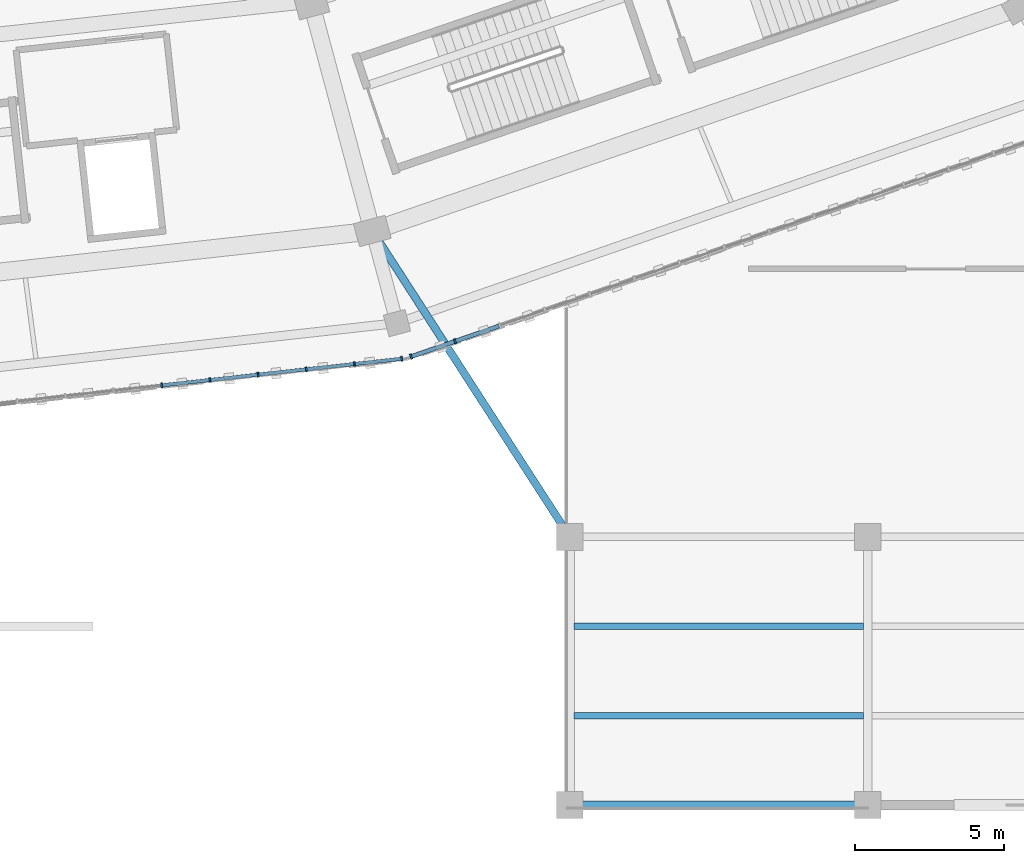
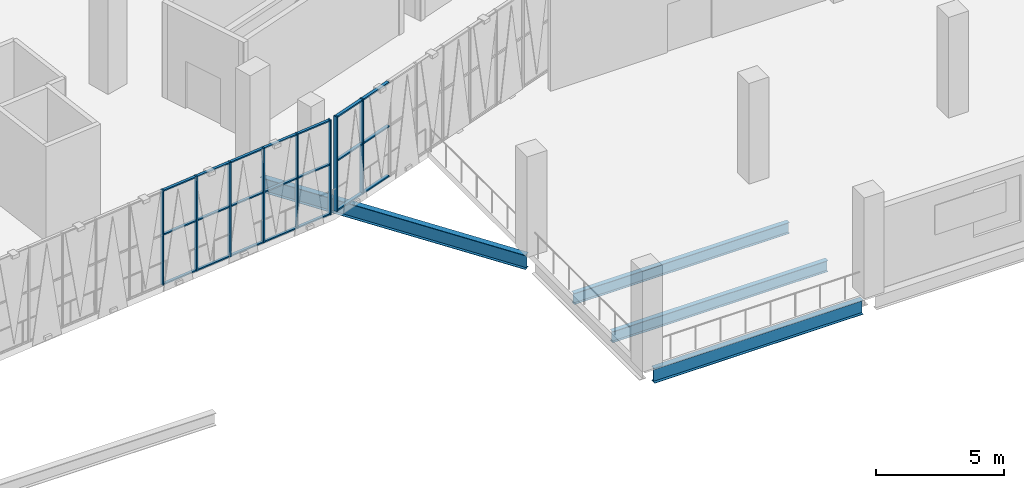
# One storey, part 26 of 183: 29 members, 4 beams, 2 elements without a shape of their own.
"""IFC4 building model written with IfcOpenShell, lengths in metres."""

from ifc_helpers import new_model, si_unit, direction, frame, origin, origin_2d, place, context, subcontext, project, spatial, rectangle, i_section, extrude, material, material_profile, profile_set, type_object, element, aggregate, save


model = new_model("IFC4")

# Units and contexts
model_context = context("Model", 3, precision=1e-05, world=origin(), true_north=direction((0.0, 1.0)))
body_context = subcontext(model_context, "Body", "Model", "MODEL_VIEW")
ifc_project = project(units=[si_unit("LENGTHUNIT", "METRE"), si_unit("AREAUNIT", "SQUARE_METRE"), si_unit("VOLUMEUNIT", "CUBIC_METRE"), si_unit("PLANEANGLEUNIT", "RADIAN"), si_unit("MASSUNIT", "GRAM", prefix="KILO")], contexts=[model_context])

# Site, building, storey
site_placement = place(None, origin())
site = spatial("IfcSite", under=ifc_project, at=site_placement, CompositionType="ELEMENT")
building_placement = place(site_placement, origin())
building = spatial("IfcBuilding", under=site, at=building_placement, Name="Zevraka Park Crest Stadium", CompositionType="ELEMENT")
storey_placement = place(building_placement, frame((0.0, 0.0, 5.39990234375)))
storey = spatial("IfcBuildingStorey", under=building, at=storey_placement, Name="L01", CompositionType="ELEMENT", Elevation=5.39990234375)

# Beams
ifc_material_1 = material(Name="Steel S355", Category="steel")
ifc_material_profile_1 = material_profile(ifc_material_1, i_section(OverallWidth=0.253662109375, OverallDepth=0.68359375, WebThickness=0.012451171875, FlangeThickness=0.01904296875, at=origin_2d()), Name="UKB 686x254x140")
ifc_profile_set_1 = profile_set([ifc_material_profile_1], Name="Steel S355")
beam_type_1 = type_object("IfcBeamType", Name="BG05", PredefinedType="BEAM", material=ifc_profile_set_1)
beam_1_placement = place(storey_placement, frame((142.300048828125, 0.0, -0.649658203125), z_axis=(1.0, 0.0, 0.0), x_axis=(0.0, 1.0, 0.0)))
element("IfcBeam", 1, at=beam_1_placement, inside=storey, type_object=beam_type_1, Name="Wing Girder BG05 L01-1617/A", PredefinedType="BEAM", context=body_context, shape_type="SweptSolid", body=[
    extrude(i_section(OverallWidth=0.253662109375, OverallDepth=0.68359375, WebThickness=0.012451171875, FlangeThickness=0.01904296875, at=origin_2d()), origin(), (0.0, 0.0, 1.0), 9.39990234375),
])
beam_2_placement = place(storey_placement, frame((141.89208984375, 9.16796875, -0.649658203125), z_axis=(-0.542497990174, 0.840057099641, 0.0), x_axis=(-0.840057099641, -0.542497990174, 0.0)))
element("IfcBeam", 2, at=beam_2_placement, inside=storey, type_object=beam_type_1, Name="Wing Link Girder BG05 L01-16/B", PredefinedType="BEAM", context=body_context, shape_type="SweptSolid", body=[
    extrude(i_section(OverallWidth=0.253662109375, OverallDepth=0.68359375, WebThickness=0.012451171875, FlangeThickness=0.01904296875, at=origin_2d()), origin(), (0.0, 0.0, 1.0), 11.640869140625),
])

# Curtain wall, members
ifc_material_2 = material(Name="Anodised architectural aluminium and laminated safety glass", Category="aluminium")
curtain_wall_type_1 = type_object("IfcCurtainWallType", Name="CW01", PredefinedType="NOTDEFINED", material=ifc_material_2)
curtain_wall_1_placement = place(storey_placement, origin())
curtain_wall_1 = element("IfcCurtainWall", 3, at=curtain_wall_1_placement, inside=storey, type_object=curtain_wall_type_1, Name="Unitised Ring Curtain Wall CW01 L01-18", PredefinedType="NOTDEFINED")
ifc_material_3 = material(Name="Anodised architectural aluminium", Category="aluminium")
ifc_material_profile_2 = material_profile(ifc_material_3, rectangle(XDim=0.159912109375, YDim=0.06005859375, at=origin_2d()), Name="ALU MULLION 160x60")
ifc_profile_set_2 = profile_set([ifc_material_profile_2], Name="Anodised architectural aluminium")
member_type_1 = type_object("IfcMemberType", Name="CM01", PredefinedType="MULLION", material=ifc_profile_set_2)
member_1_placement = place(storey_placement, frame((128.302001953125, 14.0869140625, 0.0), z_axis=(0.0, 0.0, 1.0), x_axis=(-0.110134718639, 0.993916668414, 0.0)))
member_1 = element("IfcMember", 4, at=member_1_placement, type_object=member_type_1, Name="CW01 mullion 11", PredefinedType="MULLION", context=body_context, shape_type="SweptSolid", body=[
    extrude(rectangle(XDim=0.159912109375, YDim=0.06005859375, at=origin_2d()), origin(), (0.0, 0.0, 1.0), 4.52001953125),
])
member_2_placement = place(storey_placement, frame((129.919189453125, 14.26611328125, 0.0), z_axis=(0.0, 0.0, 1.0), x_axis=(-0.110134718639, 0.993916668414, 0.0)))
member_2 = element("IfcMember", 5, at=member_2_placement, type_object=member_type_1, Name="CW01 mullion 12", PredefinedType="MULLION", context=body_context, shape_type="SweptSolid", body=[
    extrude(rectangle(XDim=0.159912109375, YDim=0.06005859375, at=origin_2d()), origin(), (0.0, 0.0, 1.0), 4.52001953125),
])
member_3_placement = place(storey_placement, frame((131.536376953125, 14.4453125, 0.0), z_axis=(0.0, 0.0, 1.0), x_axis=(-0.110134718639, 0.993916668414, 0.0)))
member_3 = element("IfcMember", 6, at=member_3_placement, type_object=member_type_1, Name="CW01 mullion 13", PredefinedType="MULLION", context=body_context, shape_type="SweptSolid", body=[
    extrude(rectangle(XDim=0.159912109375, YDim=0.06005859375, at=origin_2d()), origin(), (0.0, 0.0, 1.0), 4.52001953125),
])
member_4_placement = place(storey_placement, frame((133.153564453125, 14.62451171875, 0.0), z_axis=(0.0, 0.0, 1.0), x_axis=(-0.110134718639, 0.993916668414, 0.0)))
member_4 = element("IfcMember", 7, at=member_4_placement, type_object=member_type_1, Name="CW01 mullion 14", PredefinedType="MULLION", context=body_context, shape_type="SweptSolid", body=[
    extrude(rectangle(XDim=0.159912109375, YDim=0.06005859375, at=origin_2d()), origin(), (0.0, 0.0, 1.0), 4.52001953125),
])
member_5_placement = place(storey_placement, frame((134.770751953125, 14.8037109375, 0.0), z_axis=(0.0, 0.0, 1.0), x_axis=(-0.110134718639, 0.993916668414, 0.0)))
member_5 = element("IfcMember", 8, at=member_5_placement, type_object=member_type_1, Name="CW01 mullion 15", PredefinedType="MULLION", context=body_context, shape_type="SweptSolid", body=[
    extrude(rectangle(XDim=0.159912109375, YDim=0.06005859375, at=origin_2d()), origin(), (0.0, 0.0, 1.0), 4.52001953125),
])
member_6_placement = place(storey_placement, frame((136.358154296875, 14.979736328125, 0.0), z_axis=(0.0, 0.0, 1.0), x_axis=(-0.110134718639, 0.993916668414, 0.0)))
member_6 = element("IfcMember", 9, at=member_6_placement, type_object=member_type_1, Name="CW01 mullion 16", PredefinedType="MULLION", context=body_context, shape_type="SweptSolid", body=[
    extrude(rectangle(XDim=0.159912109375, YDim=0.06005859375, at=origin_2d()), origin(), (0.0, 0.0, 1.0), 4.52001953125),
])

ifc_material_4 = material(Name="Anodised architectural aluminium and laminated safety glass", Category="aluminium")
curtain_wall_type_2 = type_object("IfcCurtainWallType", Name="CW02", PredefinedType="NOTDEFINED", material=ifc_material_4)
curtain_wall_2_placement = place(storey_placement, origin())
curtain_wall_2 = element("IfcCurtainWall", 10, at=curtain_wall_2_placement, inside=storey, type_object=curtain_wall_type_2, Name="Unitised Ring Curtain Wall CW02 L01-19", PredefinedType="NOTDEFINED")
ifc_material_5 = material(Name="Anodised architectural aluminium", Category="aluminium")
ifc_material_profile_3 = material_profile(ifc_material_5, rectangle(XDim=0.179931640625, YDim=0.06494140625, at=origin_2d()), Name="ALU MULLION 180x65")
ifc_profile_set_3 = profile_set([ifc_material_profile_3], Name="Anodised architectural aluminium")
member_type_2 = type_object("IfcMemberType", Name="CM02", PredefinedType="MULLION", material=ifc_profile_set_3)
member_7_placement = place(storey_placement, frame((136.672607421875, 15.0517578125, 0.0), z_axis=(0.0, 0.0, 1.0), x_axis=(-0.329209289879, 0.944256979565, 0.0)))
member_7 = element("IfcMember", 11, at=member_7_placement, type_object=member_type_2, Name="CW02 mullion 1", PredefinedType="MULLION", context=body_context, shape_type="SweptSolid", body=[
    extrude(rectangle(XDim=0.179931640625, YDim=0.06494140625, at=origin_2d()), origin(), (0.0, 0.0, 1.0), 4.52001953125),
])
member_8_placement = place(storey_placement, frame((138.148681640625, 15.566162109375, 0.0), z_axis=(0.0, 0.0, 1.0), x_axis=(-0.329209289879, 0.944256979565, 0.0)))
member_8 = element("IfcMember", 12, at=member_8_placement, type_object=member_type_2, Name="CW02 mullion 2", PredefinedType="MULLION", context=body_context, shape_type="SweptSolid", body=[
    extrude(rectangle(XDim=0.179931640625, YDim=0.06494140625, at=origin_2d()), origin(), (0.0, 0.0, 1.0), 4.52001953125),
])

# Member
ifc_material_6 = material(Name="Anodised architectural aluminium", Category="aluminium")
ifc_material_profile_4 = material_profile(ifc_material_6, rectangle(XDim=0.1201171875, YDim=0.06005859375, at=origin_2d()), Name="ALU TRANSOM 120x60")
ifc_profile_set_4 = profile_set([ifc_material_profile_4], Name="Anodised architectural aluminium")
member_type_3 = type_object("IfcMemberType", Name="CT01", PredefinedType="USERDEFINED", material=ifc_profile_set_4)
member_9_placement = place(storey_placement, frame((128.331787109375, 14.09033203125, 0.030029296875), z_axis=(0.993915989308, 0.110140847091, 0.0), x_axis=(-0.110140847091, 0.993915989308, 0.0)))
member_9 = element("IfcMember", 13, at=member_9_placement, type_object=member_type_3, Name="CW01 transom 11.1", ObjectType="TRANSOM", PredefinedType="USERDEFINED", context=body_context, shape_type="SweptSolid", body=[
    extrude(rectangle(XDim=0.1201171875, YDim=0.06005859375, at=origin_2d()), origin(), (0.0, 0.0, 1.0), 1.567138671875),
])

member_10_placement = place(storey_placement, frame((128.331787109375, 14.09033203125, 2.400146484375), z_axis=(0.993915989308, 0.110140847091, 0.0), x_axis=(-0.110140847091, 0.993915989308, 0.0)))
member_10 = element("IfcMember", 14, at=member_10_placement, type_object=member_type_3, Name="CW01 transom 11.2", ObjectType="TRANSOM", PredefinedType="USERDEFINED", context=body_context, shape_type="SweptSolid", body=[
    extrude(rectangle(XDim=0.1201171875, YDim=0.06005859375, at=origin_2d()), origin(), (0.0, 0.0, 1.0), 1.567138671875),
])

member_11_placement = place(storey_placement, frame((128.331787109375, 14.09033203125, 4.489990234375), z_axis=(0.993915989308, 0.110140847091, 0.0), x_axis=(-0.110140847091, 0.993915989308, 0.0)))
member_11 = element("IfcMember", 15, at=member_11_placement, type_object=member_type_3, Name="CW01 transom 11.3", ObjectType="TRANSOM", PredefinedType="USERDEFINED", context=body_context, shape_type="SweptSolid", body=[
    extrude(rectangle(XDim=0.1201171875, YDim=0.06005859375, at=origin_2d()), origin(), (0.0, 0.0, 1.0), 1.567138671875),
])

member_12_placement = place(storey_placement, frame((129.948974609375, 14.26953125, 0.030029296875), z_axis=(0.993915989308, 0.110140847091, 0.0), x_axis=(-0.110140847091, 0.993915989308, 0.0)))
member_12 = element("IfcMember", 16, at=member_12_placement, type_object=member_type_3, Name="CW01 transom 12.1", ObjectType="TRANSOM", PredefinedType="USERDEFINED", context=body_context, shape_type="SweptSolid", body=[
    extrude(rectangle(XDim=0.1201171875, YDim=0.06005859375, at=origin_2d()), origin(), (0.0, 0.0, 1.0), 1.567138671875),
])

member_13_placement = place(storey_placement, frame((129.948974609375, 14.26953125, 2.400146484375), z_axis=(0.993915989308, 0.110140847091, 0.0), x_axis=(-0.110140847091, 0.993915989308, 0.0)))
member_13 = element("IfcMember", 17, at=member_13_placement, type_object=member_type_3, Name="CW01 transom 12.2", ObjectType="TRANSOM", PredefinedType="USERDEFINED", context=body_context, shape_type="SweptSolid", body=[
    extrude(rectangle(XDim=0.1201171875, YDim=0.06005859375, at=origin_2d()), origin(), (0.0, 0.0, 1.0), 1.567138671875),
])

member_14_placement = place(storey_placement, frame((129.948974609375, 14.26953125, 4.489990234375), z_axis=(0.993915989308, 0.110140847091, 0.0), x_axis=(-0.110140847091, 0.993915989308, 0.0)))
member_14 = element("IfcMember", 18, at=member_14_placement, type_object=member_type_3, Name="CW01 transom 12.3", ObjectType="TRANSOM", PredefinedType="USERDEFINED", context=body_context, shape_type="SweptSolid", body=[
    extrude(rectangle(XDim=0.1201171875, YDim=0.06005859375, at=origin_2d()), origin(), (0.0, 0.0, 1.0), 1.567138671875),
])

member_15_placement = place(storey_placement, frame((131.566162109375, 14.44873046875, 0.030029296875), z_axis=(0.993915989308, 0.110140847091, 0.0), x_axis=(-0.110140847091, 0.993915989308, 0.0)))
member_15 = element("IfcMember", 19, at=member_15_placement, type_object=member_type_3, Name="CW01 transom 13.1", ObjectType="TRANSOM", PredefinedType="USERDEFINED", context=body_context, shape_type="SweptSolid", body=[
    extrude(rectangle(XDim=0.1201171875, YDim=0.06005859375, at=origin_2d()), origin(), (0.0, 0.0, 1.0), 1.567138671875),
])

member_16_placement = place(storey_placement, frame((131.566162109375, 14.44873046875, 2.400146484375), z_axis=(0.993915989308, 0.110140847091, 0.0), x_axis=(-0.110140847091, 0.993915989308, 0.0)))
member_16 = element("IfcMember", 20, at=member_16_placement, type_object=member_type_3, Name="CW01 transom 13.2", ObjectType="TRANSOM", PredefinedType="USERDEFINED", context=body_context, shape_type="SweptSolid", body=[
    extrude(rectangle(XDim=0.1201171875, YDim=0.06005859375, at=origin_2d()), origin(), (0.0, 0.0, 1.0), 1.567138671875),
])

member_17_placement = place(storey_placement, frame((131.566162109375, 14.44873046875, 4.489990234375), z_axis=(0.993915989308, 0.110140847091, 0.0), x_axis=(-0.110140847091, 0.993915989308, 0.0)))
member_17 = element("IfcMember", 21, at=member_17_placement, type_object=member_type_3, Name="CW01 transom 13.3", ObjectType="TRANSOM", PredefinedType="USERDEFINED", context=body_context, shape_type="SweptSolid", body=[
    extrude(rectangle(XDim=0.1201171875, YDim=0.06005859375, at=origin_2d()), origin(), (0.0, 0.0, 1.0), 1.567138671875),
])

member_18_placement = place(storey_placement, frame((133.183349609375, 14.6279296875, 0.030029296875), z_axis=(0.993915989308, 0.110140847091, 0.0), x_axis=(-0.110140847091, 0.993915989308, 0.0)))
member_18 = element("IfcMember", 22, at=member_18_placement, type_object=member_type_3, Name="CW01 transom 14.1", ObjectType="TRANSOM", PredefinedType="USERDEFINED", context=body_context, shape_type="SweptSolid", body=[
    extrude(rectangle(XDim=0.1201171875, YDim=0.06005859375, at=origin_2d()), origin(), (0.0, 0.0, 1.0), 1.567138671875),
])

member_19_placement = place(storey_placement, frame((133.183349609375, 14.6279296875, 2.400146484375), z_axis=(0.993915989308, 0.110140847091, 0.0), x_axis=(-0.110140847091, 0.993915989308, 0.0)))
member_19 = element("IfcMember", 23, at=member_19_placement, type_object=member_type_3, Name="CW01 transom 14.2", ObjectType="TRANSOM", PredefinedType="USERDEFINED", context=body_context, shape_type="SweptSolid", body=[
    extrude(rectangle(XDim=0.1201171875, YDim=0.06005859375, at=origin_2d()), origin(), (0.0, 0.0, 1.0), 1.567138671875),
])

member_20_placement = place(storey_placement, frame((133.183349609375, 14.6279296875, 4.489990234375), z_axis=(0.993915989308, 0.110140847091, 0.0), x_axis=(-0.110140847091, 0.993915989308, 0.0)))
member_20 = element("IfcMember", 24, at=member_20_placement, type_object=member_type_3, Name="CW01 transom 14.3", ObjectType="TRANSOM", PredefinedType="USERDEFINED", context=body_context, shape_type="SweptSolid", body=[
    extrude(rectangle(XDim=0.1201171875, YDim=0.06005859375, at=origin_2d()), origin(), (0.0, 0.0, 1.0), 1.567138671875),
])

member_21_placement = place(storey_placement, frame((134.800537109375, 14.80712890625, 0.030029296875), z_axis=(0.99392434185, 0.110065447252, 0.0), x_axis=(-0.110065447252, 0.99392434185, 0.0)))
member_21 = element("IfcMember", 25, at=member_21_placement, type_object=member_type_3, Name="CW01 transom 15.1", ObjectType="TRANSOM", PredefinedType="USERDEFINED", context=body_context, shape_type="SweptSolid", body=[
    extrude(rectangle(XDim=0.1201171875, YDim=0.06005859375, at=origin_2d()), origin(), (0.0, 0.0, 1.0), 1.537109375),
])

member_22_placement = place(storey_placement, frame((134.800537109375, 14.80712890625, 2.400146484375), z_axis=(0.99392434185, 0.110065447252, 0.0), x_axis=(-0.110065447252, 0.99392434185, 0.0)))
member_22 = element("IfcMember", 26, at=member_22_placement, type_object=member_type_3, Name="CW01 transom 15.2", ObjectType="TRANSOM", PredefinedType="USERDEFINED", context=body_context, shape_type="SweptSolid", body=[
    extrude(rectangle(XDim=0.1201171875, YDim=0.06005859375, at=origin_2d()), origin(), (0.0, 0.0, 1.0), 1.537109375),
])

member_23_placement = place(storey_placement, frame((134.800537109375, 14.80712890625, 4.489990234375), z_axis=(0.99392434185, 0.110065447252, 0.0), x_axis=(-0.110065447252, 0.99392434185, 0.0)))
member_23 = element("IfcMember", 27, at=member_23_placement, type_object=member_type_3, Name="CW01 transom 15.3", ObjectType="TRANSOM", PredefinedType="USERDEFINED", context=body_context, shape_type="SweptSolid", body=[
    extrude(rectangle(XDim=0.1201171875, YDim=0.06005859375, at=origin_2d()), origin(), (0.0, 0.0, 1.0), 1.537109375),
])

aggregate(curtain_wall_1, [member_1, member_2, member_3, member_4, member_5, member_6, member_9, member_10, member_11, member_12, member_13, member_14, member_15, member_16, member_17, member_18, member_19, member_20, member_21, member_22, member_23])

ifc_material_7 = material(Name="Anodised architectural aluminium", Category="aluminium")
ifc_material_profile_5 = material_profile(ifc_material_7, rectangle(XDim=0.139892578125, YDim=0.06494140625, at=origin_2d()), Name="ALU TRANSOM 140x65")
ifc_profile_set_5 = profile_set([ifc_material_profile_5], Name="Anodised architectural aluminium")
member_type_4 = type_object("IfcMemberType", Name="CT02", PredefinedType="USERDEFINED", material=ifc_profile_set_5)
member_24_placement = place(storey_placement, frame((136.703369140625, 15.0625, 0.03271484375), z_axis=(0.944259100234, 0.329203207192, 0.0), x_axis=(-0.329203207192, 0.944259100234, 0.0)))
member_24 = element("IfcMember", 28, at=member_24_placement, type_object=member_type_4, Name="CW02 transom 1.1", ObjectType="TRANSOM", PredefinedType="USERDEFINED", context=body_context, shape_type="SweptSolid", body=[
    extrude(rectangle(XDim=0.139892578125, YDim=0.06494140625, at=origin_2d()), origin(), (0.0, 0.0, 1.0), 1.498046875),
])

member_25_placement = place(storey_placement, frame((136.703369140625, 15.0625, 2.400146484375), z_axis=(0.944259100234, 0.329203207192, 0.0), x_axis=(-0.329203207192, 0.944259100234, 0.0)))
member_25 = element("IfcMember", 29, at=member_25_placement, type_object=member_type_4, Name="CW02 transom 1.2", ObjectType="TRANSOM", PredefinedType="USERDEFINED", context=body_context, shape_type="SweptSolid", body=[
    extrude(rectangle(XDim=0.139892578125, YDim=0.06494140625, at=origin_2d()), origin(), (0.0, 0.0, 1.0), 1.498046875),
])

member_26_placement = place(storey_placement, frame((136.703369140625, 15.0625, 4.487548828125), z_axis=(0.944259100234, 0.329203207192, 0.0), x_axis=(-0.329203207192, 0.944259100234, 0.0)))
member_26 = element("IfcMember", 30, at=member_26_placement, type_object=member_type_4, Name="CW02 transom 1.3", ObjectType="TRANSOM", PredefinedType="USERDEFINED", context=body_context, shape_type="SweptSolid", body=[
    extrude(rectangle(XDim=0.139892578125, YDim=0.06494140625, at=origin_2d()), origin(), (0.0, 0.0, 1.0), 1.498046875),
])

member_27_placement = place(storey_placement, frame((138.17919921875, 15.576904296875, 0.03271484375), z_axis=(0.944255540278, 0.329213418097, 0.0), x_axis=(-0.329213418097, 0.944255540278, 0.0)))
member_27 = element("IfcMember", 31, at=member_27_placement, type_object=member_type_4, Name="CW02 transom 2.1", ObjectType="TRANSOM", PredefinedType="USERDEFINED", context=body_context, shape_type="SweptSolid", body=[
    extrude(rectangle(XDim=0.139892578125, YDim=0.06494140625, at=origin_2d()), origin(), (0.0, 0.0, 1.0), 1.530517578125),
])

member_28_placement = place(storey_placement, frame((138.17919921875, 15.576904296875, 2.400146484375), z_axis=(0.944255540278, 0.329213418097, 0.0), x_axis=(-0.329213418097, 0.944255540278, 0.0)))
member_28 = element("IfcMember", 32, at=member_28_placement, type_object=member_type_4, Name="CW02 transom 2.2", ObjectType="TRANSOM", PredefinedType="USERDEFINED", context=body_context, shape_type="SweptSolid", body=[
    extrude(rectangle(XDim=0.139892578125, YDim=0.06494140625, at=origin_2d()), origin(), (0.0, 0.0, 1.0), 1.530517578125),
])

member_29_placement = place(storey_placement, frame((138.17919921875, 15.576904296875, 4.487548828125), z_axis=(0.944255540278, 0.329213418097, 0.0), x_axis=(-0.329213418097, 0.944255540278, 0.0)))
member_29 = element("IfcMember", 33, at=member_29_placement, type_object=member_type_4, Name="CW02 transom 2.3", ObjectType="TRANSOM", PredefinedType="USERDEFINED", context=body_context, shape_type="SweptSolid", body=[
    extrude(rectangle(XDim=0.139892578125, YDim=0.06494140625, at=origin_2d()), origin(), (0.0, 0.0, 1.0), 1.530517578125),
])

aggregate(curtain_wall_2, [member_7, member_8, member_24, member_25, member_26, member_27, member_28, member_29])

# Beams
ifc_material_8 = material(Name="Steel S355", Category="steel")
ifc_material_profile_6 = material_profile(ifc_material_8, i_section(OverallWidth=0.209228515625, OverallDepth=0.533203125, WebThickness=0.010009765625, FlangeThickness=0.015625, at=origin_2d()), Name="UKB 533x210x92")
ifc_profile_set_6 = profile_set([ifc_material_profile_6], Name="Steel S355")
beam_type_2 = type_object("IfcBeamType", Name="SJ05", PredefinedType="JOIST", material=ifc_profile_set_6)
for number, where, z_axis, x_axis, name in (
    (34, (142.14501953125, 3.0, -0.576416015625), (1.0, 0.0, 0.0), (0.0, 1.0, 0.0), "Wing Joist SJ05 L01-16/A-1"),
    (35, (142.14501953125, 6.0, -0.576416015625), (1.0, 0.0, 0.0), (0.0, 1.0, 0.0), "Wing Joist SJ05 L01-16/A-2"),
):
    element("IfcBeam", number, at=place(storey_placement, frame(where, z_axis=z_axis, x_axis=x_axis)), inside=storey, type_object=beam_type_2, Name=name, PredefinedType="JOIST", context=body_context, shape_type="SweptSolid", body=[
        extrude(i_section(OverallWidth=0.209228515625, OverallDepth=0.533203125, WebThickness=0.010009765625, FlangeThickness=0.015625, at=origin_2d()), origin(), (0.0, 0.0, 1.0), 9.7099609375),
    ])

save(model, "model.ifc")
